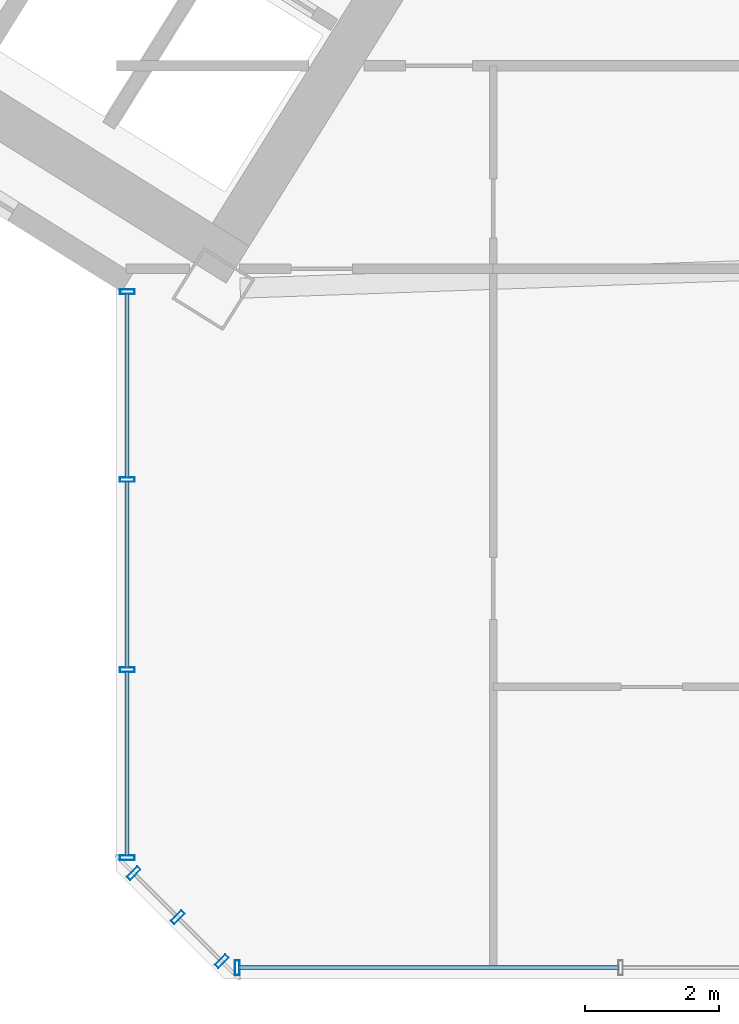
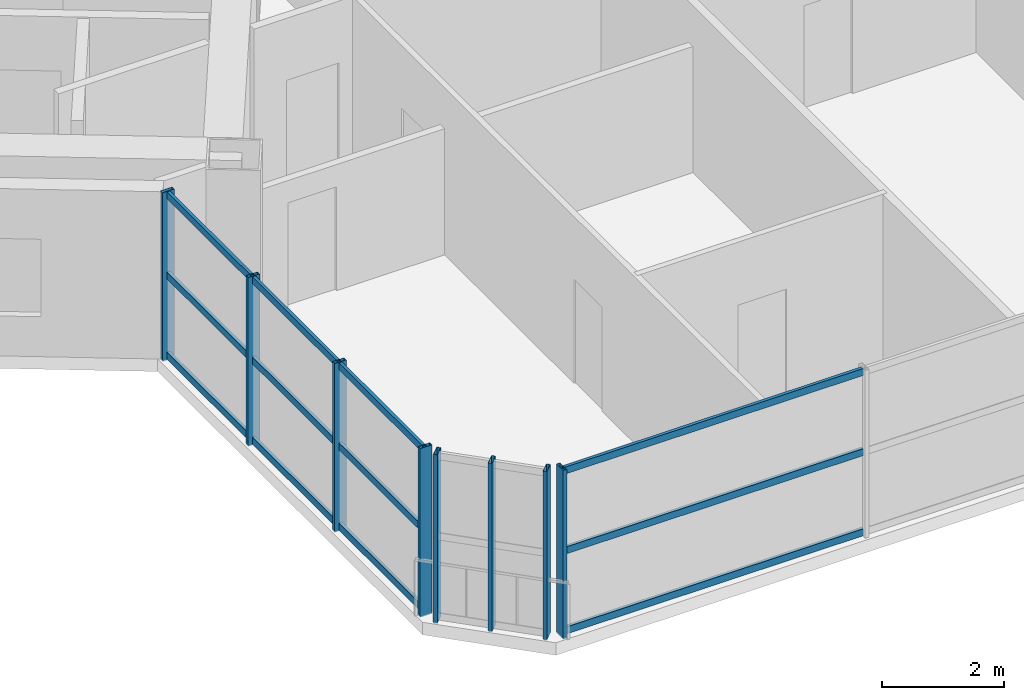
# One storey, part 4 of 21: 20 members, 3 elements without a shape of their own.
"""IFC4 building model written with IfcOpenShell, lengths in metres."""

from ifc_helpers import new_model, si_unit, direction, frame, origin, origin_2d, place, context, subcontext, project, spatial, hollow_rectangle, extrude, source, transform, mapped, material, material_profile, profile_set, type_object, element, aggregate, save


model = new_model("IFC4")

# Units and contexts
model_context = context("Model", 3, precision=1e-05, world=origin(), true_north=direction((0.0, 1.0)))
body_context = subcontext(model_context, "Body", "Model", "MODEL_VIEW")
ifc_project = project(units=[si_unit("LENGTHUNIT", "METRE"), si_unit("AREAUNIT", "SQUARE_METRE"), si_unit("VOLUMEUNIT", "CUBIC_METRE"), si_unit("PLANEANGLEUNIT", "RADIAN"), si_unit("MASSUNIT", "GRAM", prefix="KILO")], contexts=[model_context])

# Site, building, storey
site_placement = place(None, origin())
site = spatial("IfcSite", under=ifc_project, at=site_placement, CompositionType="ELEMENT")
building_placement = place(site_placement, origin())
building = spatial("IfcBuilding", under=site, at=building_placement, Name="Tlacorven Tower", CompositionType="ELEMENT")
storey_placement = place(building_placement, frame((0.0, 0.0, 93.60009765625)))
storey = spatial("IfcBuildingStorey", under=building, at=storey_placement, Name="L23", CompositionType="ELEMENT", Elevation=93.60009765625)

# Curtain wall, members
ifc_material_1 = material(Name="Dark solar low-E double glazing in aluminium frame", Category="aluminium")
curtain_wall_type = type_object("IfcCurtainWallType", Name="CW-TWR-LOW", PredefinedType="USERDEFINED", material=ifc_material_1)
curtain_wall_1_placement = place(storey_placement, origin())
curtain_wall_1 = element("IfcCurtainWall", 1, at=curtain_wall_1_placement, inside=storey, type_object=curtain_wall_type, Name="L23 CW-TWR-LOW Curtain Wall 120", ObjectType="UNITISED CURTAIN WALL", PredefinedType="USERDEFINED")
ifc_material_2 = material(Name="Aluminium 6063-T6 anodised", Category="aluminium")
ifc_material_profile_1 = material_profile(ifc_material_2, hollow_rectangle(XDim=0.06005859375, YDim=0.139892578125, WallThickness=0.00390625, at=origin_2d()), Name="ALU TRANSOM 60X140")
ifc_profile_set_1 = profile_set([ifc_material_profile_1], Name="Aluminium 6063-T6 anodised")
member_type_1 = type_object("IfcMemberType", Name="CWT-02", PredefinedType="USERDEFINED", material=ifc_profile_set_1)
shared_shape_1 = source(origin(), body_context, "Body", "SweptSolid", [
    extrude(hollow_rectangle(XDim=0.06005859375, YDim=0.139892578125, WallThickness=0.00390625, at=origin_2d()), origin(), (0.0, 0.0, 1.0), 5.6748046875),
])
member_1_placement = place(storey_placement, frame((39.09912109375, 1.9599609375, 0.06982421875), z_axis=(-1.0, 0.0, 0.0), x_axis=(0.0, -1.0, 0.0)))
member_1 = element("IfcMember", 2, at=member_1_placement, type_object=member_type_1, Name="CW-L23-120 Transom 7", ObjectType="TRANSOM", PredefinedType="USERDEFINED", context=body_context, shape_type="MappedRepresentation", body=[
    mapped(shared_shape_1, transform((0.0, 0.0, 0.0), scale=1.0)),
])
member_2_placement = place(storey_placement, frame((39.09912109375, 1.9599609375, 1.6748046875), z_axis=(-1.0, 0.0, 0.0), x_axis=(0.0, -1.0, 0.0)))
member_2 = element("IfcMember", 3, at=member_2_placement, type_object=member_type_1, Name="CW-L23-120 Transom 8", ObjectType="TRANSOM", PredefinedType="USERDEFINED", context=body_context, shape_type="MappedRepresentation", body=[
    mapped(shared_shape_1, transform((0.0, 0.0, 0.0), scale=1.0)),
])
member_3_placement = place(storey_placement, frame((39.09912109375, 1.9599609375, 3.27978515625), z_axis=(-1.0, 0.0, 0.0), x_axis=(0.0, -1.0, 0.0)))
member_3 = element("IfcMember", 4, at=member_3_placement, type_object=member_type_1, Name="CW-L23-120 Transom 9", ObjectType="TRANSOM", PredefinedType="USERDEFINED", context=body_context, shape_type="MappedRepresentation", body=[
    mapped(shared_shape_1, transform((0.0, 0.0, 0.0), scale=1.0)),
])
ifc_material_profile_2 = material_profile(ifc_material_2, hollow_rectangle(XDim=0.070068359375, YDim=0.219970703125, WallThickness=0.0048828125, at=origin_2d()), Name="ALU MULLION 70X220")
ifc_profile_set_2 = profile_set([ifc_material_profile_2], Name="Aluminium 6063-T6 anodised")
member_type_2 = type_object("IfcMemberType", Name="CWM-01", PredefinedType="MULLION", material=ifc_profile_set_2)
shared_shape_2 = source(origin(), body_context, "Body", "SweptSolid", [
    extrude(hollow_rectangle(XDim=0.070068359375, YDim=0.219970703125, WallThickness=0.0048828125, at=origin_2d()), origin(), (0.0, 0.0, 1.0), 3.3798828125),
])
member_4_placement = place(storey_placement, frame((33.4013671875, 1.9599609375, -0.02001953125), z_axis=(0.0, 0.0, 1.0), x_axis=(-1.0, 0.0, 0.0)))
member_4 = element("IfcMember", 5, at=member_4_placement, type_object=member_type_2, Name="CW-L23-120 Mullion 4", PredefinedType="MULLION", context=body_context, shape_type="MappedRepresentation", body=[
    mapped(shared_shape_2, transform((0.0, 0.0, 0.0), scale=1.0)),
])
aggregate(curtain_wall_1, [member_4, member_1, member_2, member_3])

curtain_wall_2_placement = place(storey_placement, origin())
curtain_wall_2 = element("IfcCurtainWall", 6, at=curtain_wall_2_placement, inside=storey, type_object=curtain_wall_type, Name="L23 CW-TWR-LOW Curtain Wall 121", ObjectType="UNITISED CURTAIN WALL", PredefinedType="USERDEFINED")
member_5_placement = place(storey_placement, frame((33.1708984375, 2.055419921875, -0.02001953125), z_axis=(0.0, 0.0, 1.0), x_axis=(-0.707106781187, 0.707106781187, 0.0)))
member_5 = element("IfcMember", 7, at=member_5_placement, type_object=member_type_2, Name="CW-L23-121 Mullion 1", PredefinedType="MULLION", context=body_context, shape_type="MappedRepresentation", body=[
    mapped(shared_shape_2, transform((0.0, 0.0, 0.0), scale=1.0)),
])
member_6_placement = place(storey_placement, frame((32.51318359375, 2.713134765625, -0.02001953125), z_axis=(0.0, 0.0, 1.0), x_axis=(-0.707106781187, 0.707106781187, 0.0)))
member_6 = element("IfcMember", 8, at=member_6_placement, type_object=member_type_2, Name="CW-L23-121 Mullion 2", PredefinedType="MULLION", context=body_context, shape_type="MappedRepresentation", body=[
    mapped(shared_shape_2, transform((0.0, 0.0, 0.0), scale=1.0)),
])
member_7_placement = place(storey_placement, frame((31.85546875, 3.370849609375, -0.02001953125), z_axis=(0.0, 0.0, 1.0), x_axis=(-0.707106781187, 0.707106781187, 0.0)))
member_7 = element("IfcMember", 9, at=member_7_placement, type_object=member_type_2, Name="CW-L23-121 Mullion 3", PredefinedType="MULLION", context=body_context, shape_type="MappedRepresentation", body=[
    mapped(shared_shape_2, transform((0.0, 0.0, 0.0), scale=1.0)),
])
aggregate(curtain_wall_2, [member_5, member_6, member_7])

curtain_wall_3_placement = place(storey_placement, origin())
curtain_wall_3 = element("IfcCurtainWall", 10, at=curtain_wall_3_placement, inside=storey, type_object=curtain_wall_type, Name="L23 CW-TWR-LOW Curtain Wall 122", ObjectType="UNITISED CURTAIN WALL", PredefinedType="USERDEFINED")
member_8_placement = place(storey_placement, frame((31.760009765625, 3.601318359375, -0.02001953125), z_axis=(0.0, 0.0, 1.0), x_axis=(0.0, 1.0, 0.0)))
member_8 = element("IfcMember", 11, at=member_8_placement, type_object=member_type_2, Name="CW-L23-122 Mullion 1", PredefinedType="MULLION", context=body_context, shape_type="MappedRepresentation", body=[
    mapped(shared_shape_2, transform((0.0, 0.0, 0.0), scale=1.0)),
])
member_9_placement = place(storey_placement, frame((31.760009765625, 6.4052734375, -0.02001953125), z_axis=(0.0, 0.0, 1.0), x_axis=(0.0, 1.0, 0.0)))
member_9 = element("IfcMember", 12, at=member_9_placement, type_object=member_type_2, Name="CW-L23-122 Mullion 2", PredefinedType="MULLION", context=body_context, shape_type="MappedRepresentation", body=[
    mapped(shared_shape_2, transform((0.0, 0.0, 0.0), scale=1.0)),
])
member_10_placement = place(storey_placement, frame((31.760009765625, 9.244140625, -0.02001953125), z_axis=(0.0, 0.0, 1.0), x_axis=(0.0, 1.0, 0.0)))
member_10 = element("IfcMember", 13, at=member_10_placement, type_object=member_type_2, Name="CW-L23-122 Mullion 3", PredefinedType="MULLION", context=body_context, shape_type="MappedRepresentation", body=[
    mapped(shared_shape_2, transform((0.0, 0.0, 0.0), scale=1.0)),
])
member_11_placement = place(storey_placement, frame((31.760009765625, 12.048095703125, -0.02001953125), z_axis=(0.0, 0.0, 1.0), x_axis=(0.0, 1.0, 0.0)))
member_11 = element("IfcMember", 14, at=member_11_placement, type_object=member_type_2, Name="CW-L23-122 Mullion 4", PredefinedType="MULLION", context=body_context, shape_type="MappedRepresentation", body=[
    mapped(shared_shape_2, transform((0.0, 0.0, 0.0), scale=1.0)),
])
shared_shape_3 = source(origin(), body_context, "Body", "SweptSolid", [
    extrude(hollow_rectangle(XDim=0.06005859375, YDim=0.139892578125, WallThickness=0.00390625, at=origin_2d()), origin(), (0.0, 0.0, 1.0), 2.7578125),
])
member_12_placement = place(storey_placement, frame((31.760009765625, 3.624267578125, 0.06982421875), z_axis=(0.0, 1.0, 0.0), x_axis=(-1.0, 0.0, 0.0)))
member_12 = element("IfcMember", 15, at=member_12_placement, type_object=member_type_1, Name="CW-L23-122 Transom 1", ObjectType="TRANSOM", PredefinedType="USERDEFINED", context=body_context, shape_type="MappedRepresentation", body=[
    mapped(shared_shape_3, transform((0.0, 0.0, 0.0), scale=1.0)),
])
member_13_placement = place(storey_placement, frame((31.760009765625, 3.624267578125, 1.6748046875), z_axis=(0.0, 1.0, 0.0), x_axis=(-1.0, 0.0, 0.0)))
member_13 = element("IfcMember", 16, at=member_13_placement, type_object=member_type_1, Name="CW-L23-122 Transom 2", ObjectType="TRANSOM", PredefinedType="USERDEFINED", context=body_context, shape_type="MappedRepresentation", body=[
    mapped(shared_shape_3, transform((0.0, 0.0, 0.0), scale=1.0)),
])
member_14_placement = place(storey_placement, frame((31.760009765625, 3.624267578125, 3.27978515625), z_axis=(0.0, 1.0, 0.0), x_axis=(-1.0, 0.0, 0.0)))
member_14 = element("IfcMember", 17, at=member_14_placement, type_object=member_type_1, Name="CW-L23-122 Transom 3", ObjectType="TRANSOM", PredefinedType="USERDEFINED", context=body_context, shape_type="MappedRepresentation", body=[
    mapped(shared_shape_3, transform((0.0, 0.0, 0.0), scale=1.0)),
])
shared_shape_4 = source(origin(), body_context, "Body", "SweptSolid", [
    extrude(hollow_rectangle(XDim=0.06005859375, YDim=0.139892578125, WallThickness=0.00390625, at=origin_2d()), origin(), (0.0, 0.0, 1.0), 2.79296875),
])
member_15_placement = place(storey_placement, frame((31.760009765625, 6.42822265625, 0.06982421875), z_axis=(0.0, 1.0, 0.0), x_axis=(-1.0, 0.0, 0.0)))
member_15 = element("IfcMember", 18, at=member_15_placement, type_object=member_type_1, Name="CW-L23-122 Transom 4", ObjectType="TRANSOM", PredefinedType="USERDEFINED", context=body_context, shape_type="MappedRepresentation", body=[
    mapped(shared_shape_4, transform((0.0, 0.0, 0.0), scale=1.0)),
])
member_16_placement = place(storey_placement, frame((31.760009765625, 6.42822265625, 1.6748046875), z_axis=(0.0, 1.0, 0.0), x_axis=(-1.0, 0.0, 0.0)))
member_16 = element("IfcMember", 19, at=member_16_placement, type_object=member_type_1, Name="CW-L23-122 Transom 5", ObjectType="TRANSOM", PredefinedType="USERDEFINED", context=body_context, shape_type="MappedRepresentation", body=[
    mapped(shared_shape_4, transform((0.0, 0.0, 0.0), scale=1.0)),
])
member_17_placement = place(storey_placement, frame((31.760009765625, 6.42822265625, 3.27978515625), z_axis=(0.0, 1.0, 0.0), x_axis=(-1.0, 0.0, 0.0)))
member_17 = element("IfcMember", 20, at=member_17_placement, type_object=member_type_1, Name="CW-L23-122 Transom 6", ObjectType="TRANSOM", PredefinedType="USERDEFINED", context=body_context, shape_type="MappedRepresentation", body=[
    mapped(shared_shape_4, transform((0.0, 0.0, 0.0), scale=1.0)),
])
shared_shape_5 = source(origin(), body_context, "Body", "SweptSolid", [
    extrude(hollow_rectangle(XDim=0.06005859375, YDim=0.139892578125, WallThickness=0.00390625, at=origin_2d()), origin(), (0.0, 0.0, 1.0), 2.758056640625),
])
member_18_placement = place(storey_placement, frame((31.760009765625, 9.26708984375, 0.06982421875), z_axis=(0.0, 1.0, 0.0), x_axis=(-1.0, 0.0, 0.0)))
member_18 = element("IfcMember", 21, at=member_18_placement, type_object=member_type_1, Name="CW-L23-122 Transom 7", ObjectType="TRANSOM", PredefinedType="USERDEFINED", context=body_context, shape_type="MappedRepresentation", body=[
    mapped(shared_shape_5, transform((0.0, 0.0, 0.0), scale=1.0)),
])
member_19_placement = place(storey_placement, frame((31.760009765625, 9.26708984375, 1.6748046875), z_axis=(0.0, 1.0, 0.0), x_axis=(-1.0, 0.0, 0.0)))
member_19 = element("IfcMember", 22, at=member_19_placement, type_object=member_type_1, Name="CW-L23-122 Transom 8", ObjectType="TRANSOM", PredefinedType="USERDEFINED", context=body_context, shape_type="MappedRepresentation", body=[
    mapped(shared_shape_5, transform((0.0, 0.0, 0.0), scale=1.0)),
])
member_20_placement = place(storey_placement, frame((31.760009765625, 9.26708984375, 3.27978515625), z_axis=(0.0, 1.0, 0.0), x_axis=(-1.0, 0.0, 0.0)))
member_20 = element("IfcMember", 23, at=member_20_placement, type_object=member_type_1, Name="CW-L23-122 Transom 9", ObjectType="TRANSOM", PredefinedType="USERDEFINED", context=body_context, shape_type="MappedRepresentation", body=[
    mapped(shared_shape_5, transform((0.0, 0.0, 0.0), scale=1.0)),
])
aggregate(curtain_wall_3, [member_8, member_9, member_10, member_11, member_12, member_13, member_14, member_15, member_16, member_17, member_18, member_19, member_20])

save(model, "model.ifc")
